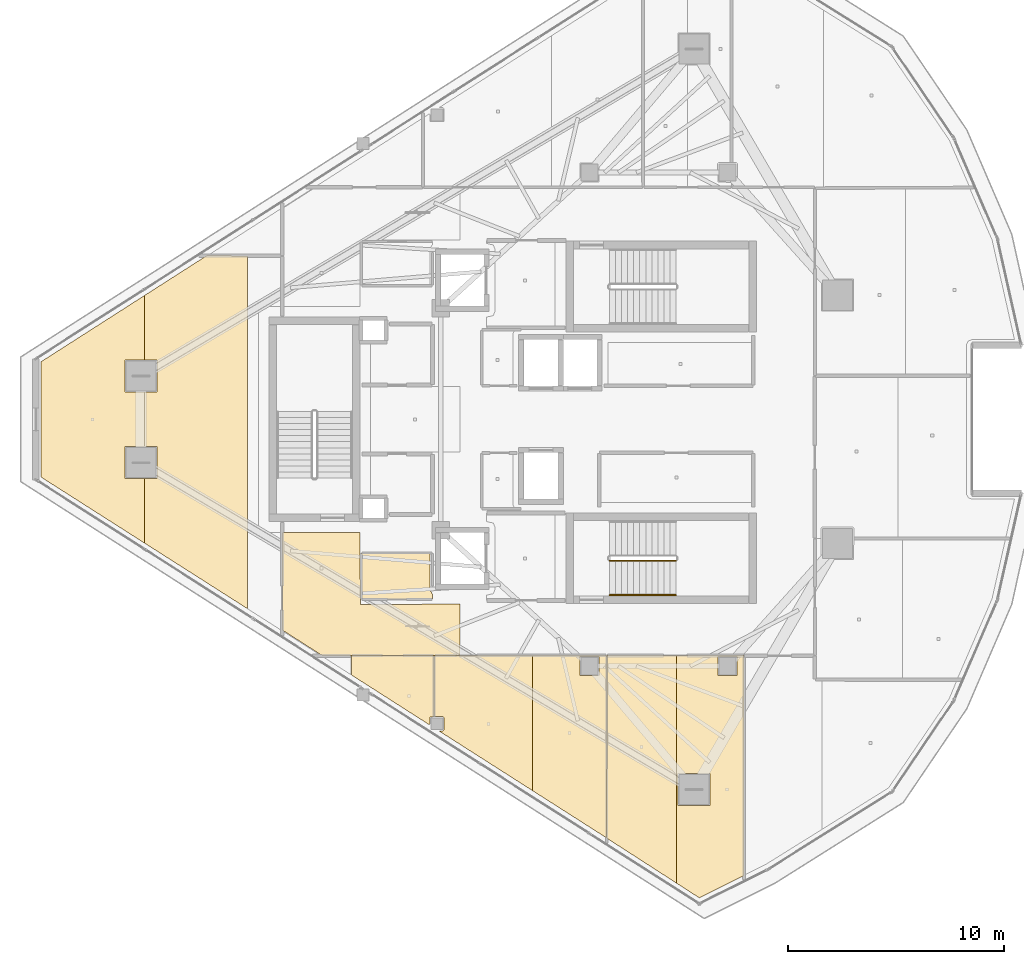
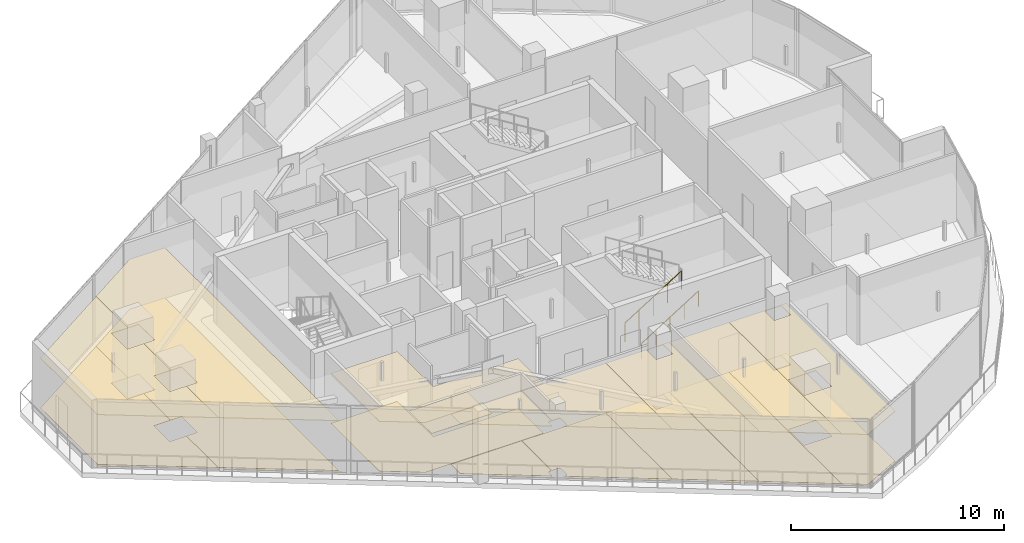
# One storey, part 26 of 30: 17 coverings, 2 railings.
"""IFC4 building model written with IfcOpenShell, lengths in metres."""

from ifc_helpers import new_model, si_unit, direction, frame, origin, origin_2d, place, context, subcontext, project, spatial, polyline, circle, outline, extrude, material, layer, layer_set, type_object, element, save


model = new_model("IFC4")

# Units and contexts
model_context = context("Model", 3, precision=1e-05, world=origin(), true_north=direction((0.0, 1.0)))
body_context = subcontext(model_context, "Body", "Model", "MODEL_VIEW")
ifc_project = project(units=[si_unit("LENGTHUNIT", "METRE"), si_unit("AREAUNIT", "SQUARE_METRE"), si_unit("VOLUMEUNIT", "CUBIC_METRE"), si_unit("PLANEANGLEUNIT", "RADIAN"), si_unit("MASSUNIT", "GRAM", prefix="KILO")], contexts=[model_context])

# Site, building, storey
site_placement = place(None, origin())
site = spatial("IfcSite", under=ifc_project, at=site_placement, CompositionType="ELEMENT")
building_placement = place(site_placement, origin())
building = spatial("IfcBuilding", under=site, at=building_placement, Name="Qorvath Tower", CompositionType="ELEMENT")
storey_placement = place(building_placement, frame((0.0, 0.0, 301.800048828125)))
storey = spatial("IfcBuildingStorey", under=building, at=storey_placement, Name="L70", CompositionType="ELEMENT", Elevation=301.800048828125)

# Coverings
ifc_material_1 = material(Name="Acoustic mineral fibre ceiling tile", Category="gypsum")
ifc_layer_1 = layer(ifc_material_1, 0.030029296875)
ifc_layer_set_1 = layer_set([ifc_layer_1], Name="COV-CEIL")
covering_type_1 = type_object("IfcCoveringType", Name="COV-CEIL", PredefinedType="CEILING", material=ifc_layer_set_1)
covering_1_placement = place(storey_placement, frame((0.0, 0.0, 2.849853515625)))
element("IfcCovering", 1, at=covering_1_placement, inside=storey, type_object=covering_type_1, Name="L70 Suspended Acoustic Ceiling 011", PredefinedType="CEILING", context=body_context, shape_type="SweptSolid", body=[
    extrude(outline(polyline([(-34.22509765625, -8.580078125), (-34.251220703125, -5.239990234375), (-37.844970703125, -5.239990234375), (-37.844970703125, -9.77734375), (-36.01806640625, -10.945068359375), (-29.614990234375, -10.945068359375), (-29.614990234375, -8.5771484375), (-34.22509765625, -8.580078125)])), origin(), (0.0, 0.0, 1.0), 0.030029296875),
])
covering_2_placement = place(storey_placement, frame((0.0, 0.0, 2.849853515625)))
element("IfcCovering", 2, at=covering_2_placement, inside=storey, type_object=covering_type_1, Name="L70 Suspended Acoustic Ceiling 021", PredefinedType="CEILING", context=body_context, shape_type="SweptSolid", body=[
    extrude(outline(polyline([(-34.64501953125, -11.858154296875), (-31.01220703125, -14.179931640625), (-30.99462890625, -13.806884765625), (-30.81396484375, -13.789306640625), (-30.81396484375, -10.962890625), (-34.64501953125, -10.962890625), (-34.64501953125, -11.858154296875)])), origin(), (0.0, 0.0, 1.0), 0.030029296875),
])
covering_3_placement = place(storey_placement, frame((0.0, 0.0, 2.849853515625)))
element("IfcCovering", 3, at=covering_3_placement, inside=storey, type_object=covering_type_1, Name="L70 Suspended Acoustic Ceiling 022", PredefinedType="CEILING", context=body_context, shape_type="SweptSolid", body=[
    extrude(outline(polyline([(-30.575439453125, -14.459228515625), (-26.2470703125, -17.221923828125), (-26.2470703125, -10.962890625), (-30.7958984375, -10.962890625), (-30.7958984375, -13.789306640625), (-30.402099609375, -13.789306640625), (-30.34228515625, -13.849365234375), (-30.34228515625, -14.3994140625), (-30.402099609375, -14.459228515625), (-30.575439453125, -14.459228515625)])), origin(), (0.0, 0.0, 1.0), 0.030029296875),
])
covering_4_placement = place(storey_placement, frame((0.0, 0.0, 2.849853515625)))
element("IfcCovering", 4, at=covering_4_placement, inside=storey, type_object=covering_type_1, Name="L70 Suspended Acoustic Ceiling 023", PredefinedType="CEILING", context=body_context, shape_type="SweptSolid", body=[
    extrude(outline(polyline([(-26.2470703125, -10.962890625), (-26.2470703125, -17.221923828125), (-22.810302734375, -19.41552734375), (-22.811767578125, -10.962890625), (-26.2470703125, -10.962890625)]), holes=[polyline([(-24.04248046875, -11.892333984375), (-24.04248046875, -11.007568359375), (-23.157470703125, -11.007568359375), (-23.157470703125, -11.892333984375), (-24.04248046875, -11.892333984375)])]), origin(), (0.0, 0.0, 1.0), 0.030029296875),
])
covering_5_placement = place(storey_placement, frame((0.0, 0.0, 2.849853515625)))
element("IfcCovering", 5, at=covering_5_placement, inside=storey, type_object=covering_type_1, Name="L70 Suspended Acoustic Ceiling 024", PredefinedType="CEILING", context=body_context, shape_type="SweptSolid", body=[
    extrude(outline(polyline([(-22.803466796875, -19.426513671875), (-19.5546875, -21.520751953125), (-19.5546875, -10.962890625), (-22.7939453125, -10.962890625), (-22.803466796875, -19.426513671875)])), origin(), (0.0, 0.0, 1.0), 0.030029296875),
])
covering_6_placement = place(storey_placement, frame((0.0, 0.0, 2.849853515625)))
element("IfcCovering", 6, at=covering_6_placement, inside=storey, type_object=covering_type_1, Name="L70 Suspended Acoustic Ceiling 025", PredefinedType="CEILING", context=body_context, shape_type="SweptSolid", body=[
    extrude(outline(polyline([(-19.5546875, -10.962890625), (-19.5546875, -21.520751953125), (-18.50390625, -22.1982421875), (-16.43896484375, -21.16796875), (-16.438720703125, -10.962890625), (-19.5546875, -10.962890625)]), holes=[polyline([(-17.642333984375, -11.892333984375), (-17.642333984375, -11.007568359375), (-16.757568359375, -11.007568359375), (-16.757568359375, -11.892333984375), (-17.642333984375, -11.892333984375)]), polyline([(-19.492919921875, -17.91796875), (-19.492919921875, -16.43310546875), (-18.008056640625, -16.43310546875), (-18.008056640625, -17.91796875), (-19.492919921875, -17.91796875)])]), origin(), (0.0, 0.0, 1.0), 0.030029296875),
])
covering_7_placement = place(storey_placement, frame((0.0, 0.0, 2.849853515625)))
element("IfcCovering", 7, at=covering_7_placement, inside=storey, type_object=covering_type_1, Name="L70 Suspended Acoustic Ceiling 034", PredefinedType="CEILING", context=body_context, shape_type="SweptSolid", body=[
    extrude(outline(polyline([(-49.041748046875, 2.669677734375), (-49.0341796875, -2.685302734375), (-44.248779296875, -5.73583984375), (-44.248779296875, -2.75), (-45.14501953125, -2.75), (-45.14501953125, -1.26513671875), (-44.248779296875, -1.26513671875), (-44.248779296875, 1.26513671875), (-45.14501953125, 1.26513671875), (-45.14501953125, 2.75), (-44.248779296875, 2.75), (-44.248779296875, 5.739013671875), (-49.041748046875, 2.669677734375)])), origin(), (0.0, 0.0, 1.0), 0.030029296875),
])
covering_8_placement = place(storey_placement, frame((0.0, 0.0, 2.849853515625)))
element("IfcCovering", 8, at=covering_8_placement, inside=storey, type_object=covering_type_1, Name="L70 Suspended Acoustic Ceiling 035", PredefinedType="CEILING", context=body_context, shape_type="SweptSolid", body=[
    extrude(outline(polyline([(-44.248779296875, 5.739013671875), (-44.248779296875, 2.75), (-43.66015625, 2.75), (-43.66015625, 1.26513671875), (-44.248779296875, 1.26513671875), (-44.248779296875, -1.26513671875), (-43.66015625, -1.26513671875), (-43.66015625, -2.75), (-44.248779296875, -2.75), (-44.248779296875, -5.73583984375), (-39.455810546875, -8.791259765625), (-39.455810546875, 7.58251953125), (-41.351318359375, 7.5947265625), (-44.248779296875, 5.739013671875)])), origin(), (0.0, 0.0, 1.0), 0.030029296875),
])
ifc_material_2 = material(Name="Low-VOC modular carpet tile", Category="textile")
ifc_layer_2 = layer(ifc_material_2, 0.014892578125)
ifc_layer_set_2 = layer_set([ifc_layer_2], Name="COV-FLOOR-CPT")
covering_type_2 = type_object("IfcCoveringType", Name="COV-FLOOR-CPT", PredefinedType="FLOORING", material=ifc_layer_set_2)
covering_9_placement = place(storey_placement, origin())
element("IfcCovering", 9, at=covering_9_placement, inside=storey, type_object=covering_type_2, Name="L70 Floor Finish 021", PredefinedType="FLOORING", context=body_context, shape_type="SweptSolid", body=[
    extrude(outline(polyline([(-34.64501953125, -11.858154296875), (-31.01220703125, -14.179931640625), (-30.99462890625, -13.806884765625), (-30.81396484375, -13.789306640625), (-30.81396484375, -10.962890625), (-34.64501953125, -10.962890625), (-34.64501953125, -11.858154296875)])), origin(), (0.0, 0.0, 1.0), 0.014892578125),
])
covering_10_placement = place(storey_placement, origin())
element("IfcCovering", 10, at=covering_10_placement, inside=storey, type_object=covering_type_2, Name="L70 Floor Finish 022", PredefinedType="FLOORING", context=body_context, shape_type="SweptSolid", body=[
    extrude(outline(polyline([(-30.575439453125, -14.459228515625), (-26.2470703125, -17.221923828125), (-26.2470703125, -10.962890625), (-30.7958984375, -10.962890625), (-30.7958984375, -13.789306640625), (-30.402099609375, -13.789306640625), (-30.34228515625, -13.849365234375), (-30.34228515625, -14.3994140625), (-30.402099609375, -14.459228515625), (-30.575439453125, -14.459228515625)])), origin(), (0.0, 0.0, 1.0), 0.014892578125),
])
covering_11_placement = place(storey_placement, origin())
element("IfcCovering", 11, at=covering_11_placement, inside=storey, type_object=covering_type_2, Name="L70 Floor Finish 023", PredefinedType="FLOORING", context=body_context, shape_type="SweptSolid", body=[
    extrude(outline(polyline([(-26.2470703125, -10.962890625), (-26.2470703125, -17.221923828125), (-22.810302734375, -19.41552734375), (-22.811767578125, -10.962890625), (-26.2470703125, -10.962890625)]), holes=[polyline([(-24.04248046875, -11.892333984375), (-24.04248046875, -11.007568359375), (-23.157470703125, -11.007568359375), (-23.157470703125, -11.892333984375), (-24.04248046875, -11.892333984375)])]), origin(), (0.0, 0.0, 1.0), 0.014892578125),
])
covering_12_placement = place(storey_placement, origin())
element("IfcCovering", 12, at=covering_12_placement, inside=storey, type_object=covering_type_2, Name="L70 Floor Finish 024", PredefinedType="FLOORING", context=body_context, shape_type="SweptSolid", body=[
    extrude(outline(polyline([(-22.803466796875, -19.426513671875), (-19.5546875, -21.520751953125), (-19.5546875, -10.962890625), (-22.7939453125, -10.962890625), (-22.803466796875, -19.426513671875)])), origin(), (0.0, 0.0, 1.0), 0.014892578125),
])
covering_13_placement = place(storey_placement, origin())
element("IfcCovering", 13, at=covering_13_placement, inside=storey, type_object=covering_type_2, Name="L70 Floor Finish 025", PredefinedType="FLOORING", context=body_context, shape_type="SweptSolid", body=[
    extrude(outline(polyline([(-19.5546875, -10.962890625), (-19.5546875, -21.520751953125), (-18.50390625, -22.1982421875), (-16.43896484375, -21.16796875), (-16.438720703125, -10.962890625), (-19.5546875, -10.962890625)]), holes=[polyline([(-17.642333984375, -11.892333984375), (-17.642333984375, -11.007568359375), (-16.757568359375, -11.007568359375), (-16.757568359375, -11.892333984375), (-17.642333984375, -11.892333984375)]), polyline([(-19.492919921875, -17.91796875), (-19.492919921875, -16.43310546875), (-18.008056640625, -16.43310546875), (-18.008056640625, -17.91796875), (-19.492919921875, -17.91796875)])]), origin(), (0.0, 0.0, 1.0), 0.014892578125),
])
covering_14_placement = place(storey_placement, origin())
element("IfcCovering", 14, at=covering_14_placement, inside=storey, type_object=covering_type_2, Name="L70 Floor Finish 034", PredefinedType="FLOORING", context=body_context, shape_type="SweptSolid", body=[
    extrude(outline(polyline([(-49.041748046875, 2.669677734375), (-49.0341796875, -2.685302734375), (-44.248779296875, -5.73583984375), (-44.248779296875, -2.75), (-45.14501953125, -2.75), (-45.14501953125, -1.26513671875), (-44.248779296875, -1.26513671875), (-44.248779296875, 1.26513671875), (-45.14501953125, 1.26513671875), (-45.14501953125, 2.75), (-44.248779296875, 2.75), (-44.248779296875, 5.739013671875), (-49.041748046875, 2.669677734375)])), origin(), (0.0, 0.0, 1.0), 0.014892578125),
])
covering_15_placement = place(storey_placement, origin())
element("IfcCovering", 15, at=covering_15_placement, inside=storey, type_object=covering_type_2, Name="L70 Floor Finish 035", PredefinedType="FLOORING", context=body_context, shape_type="SweptSolid", body=[
    extrude(outline(polyline([(-44.248779296875, 5.739013671875), (-44.248779296875, 2.75), (-43.66015625, 2.75), (-43.66015625, 1.26513671875), (-44.248779296875, 1.26513671875), (-44.248779296875, -1.26513671875), (-43.66015625, -1.26513671875), (-43.66015625, -2.75), (-44.248779296875, -2.75), (-44.248779296875, -5.73583984375), (-39.455810546875, -8.791259765625), (-39.455810546875, 7.58251953125), (-41.351318359375, 7.5947265625), (-44.248779296875, 5.739013671875)])), origin(), (0.0, 0.0, 1.0), 0.014892578125),
])
ifc_material_3 = material(Name="Polished epoxy terrazzo flooring", Category="concrete")
ifc_layer_3 = layer(ifc_material_3, 0.02001953125)
ifc_layer_set_3 = layer_set([ifc_layer_3], Name="COV-FLOOR-TRZ")
covering_type_3 = type_object("IfcCoveringType", Name="COV-FLOOR-TRZ", PredefinedType="FLOORING", material=ifc_layer_set_3)
covering_16_placement = place(storey_placement, origin())
element("IfcCovering", 16, at=covering_16_placement, inside=storey, type_object=covering_type_3, Name="L70 Floor Finish 009", PredefinedType="FLOORING", context=body_context, shape_type="SweptSolid", body=[
    extrude(outline(polyline([(-30.885009765625, -8.344970703125), (-30.885009765625, -8.108154296875), (-31.010009765625, -7.909912109375), (-31.010009765625, -6.205078125), (-34.175048828125, -6.205078125), (-34.175048828125, -8.344970703125), (-30.885009765625, -8.344970703125)])), origin(), (0.0, 0.0, 1.0), 0.014892578125),
])
covering_17_placement = place(storey_placement, origin())
element("IfcCovering", 17, at=covering_17_placement, inside=storey, type_object=covering_type_3, Name="L70 Floor Finish 011", PredefinedType="FLOORING", context=body_context, shape_type="SweptSolid", body=[
    extrude(outline(polyline([(-34.22509765625, -8.580078125), (-34.251220703125, -5.239990234375), (-37.844970703125, -5.239990234375), (-37.844970703125, -9.77734375), (-36.01806640625, -10.945068359375), (-29.614990234375, -10.945068359375), (-29.614990234375, -8.5771484375), (-34.22509765625, -8.580078125)])), origin(), (0.0, 0.0, 1.0), 0.014892578125),
])

# Railings
ifc_material_4 = material(Name="Painted galvanised steel", Category="steel")
railing_type_1 = type_object("IfcRailingType", Name="RL-STR-GRD", PredefinedType="GUARDRAIL", material=ifc_material_4)
railing_1_placement = place(storey_placement, frame((-22.669921875, -6.570068359375, 0.175048828125)))
element("IfcRailing", 18, at=railing_1_placement, inside=storey, type_object=railing_type_1, Name="L70 TS2 stair guard 1", PredefinedType="GUARDRAIL", context=body_context, shape_type="SweptSolid", body=[
    extrude(circle(Radius=0.02392578125, at=origin_2d()), frame((0.0, 0.0, 1.076171875), z_axis=(0.848009633417, 0.0, 0.529980812513), x_axis=(0.0, 1.0, 0.0)), (0.0, 0.0, 1.0), 3.6318359375),
    extrude(circle(Radius=0.02099609375, at=origin_2d()), origin(), (0.0, 0.0, 1.0), 1.052001953125),
    extrude(circle(Radius=0.02099609375, at=origin_2d()), frame((0.77001953125, 0.0, 0.481201171875)), (0.0, 0.0, 1.0), 1.052001953125),
    extrude(circle(Radius=0.02099609375, at=origin_2d()), frame((1.5400390625, 0.0, 0.96240234375)), (0.0, 0.0, 1.0), 1.052001953125),
    extrude(circle(Radius=0.02099609375, at=origin_2d()), frame((2.309814453125, 0.0, 1.443603515625)), (0.0, 0.0, 1.0), 1.052001953125),
    extrude(circle(Radius=0.02099609375, at=origin_2d()), frame((3.079833984375, 0.0, 1.9248046875)), (0.0, 0.0, 1.0), 1.052001953125),
])
ifc_material_5 = material(Name="Brushed stainless steel AISI 304", Category="steel")
railing_type_2 = type_object("IfcRailingType", Name="RL-STR-HND", PredefinedType="HANDRAIL", material=ifc_material_5)
railing_2_placement = place(storey_placement, frame((-22.669921875, -8.14990234375, 0.175048828125)))
element("IfcRailing", 19, at=railing_2_placement, inside=storey, type_object=railing_type_2, Name="L70 TS2 stair handrail 1", PredefinedType="HANDRAIL", context=body_context, shape_type="SweptSolid", body=[
    extrude(circle(Radius=0.02392578125, at=origin_2d()), frame((0.0, 0.0, 0.8759765625), z_axis=(0.848009633417, 0.0, 0.529980812513), x_axis=(0.0, 1.0, 0.0)), (0.0, 0.0, 1.0), 3.6318359375),
    extrude(circle(Radius=0.02099609375, at=origin_2d()), origin(), (0.0, 0.0, 1.0), 0.851806640625),
    extrude(circle(Radius=0.02099609375, at=origin_2d()), frame((0.77001953125, 0.0, 0.481201171875)), (0.0, 0.0, 1.0), 0.851806640625),
    extrude(circle(Radius=0.02099609375, at=origin_2d()), frame((1.5400390625, 0.0, 0.96240234375)), (0.0, 0.0, 1.0), 0.851806640625),
    extrude(circle(Radius=0.02099609375, at=origin_2d()), frame((2.309814453125, 0.0, 1.443603515625)), (0.0, 0.0, 1.0), 0.851806640625),
    extrude(circle(Radius=0.02099609375, at=origin_2d()), frame((3.079833984375, 0.0, 1.9248046875)), (0.0, 0.0, 1.0), 0.851806640625),
])

save(model, "model.ifc")
